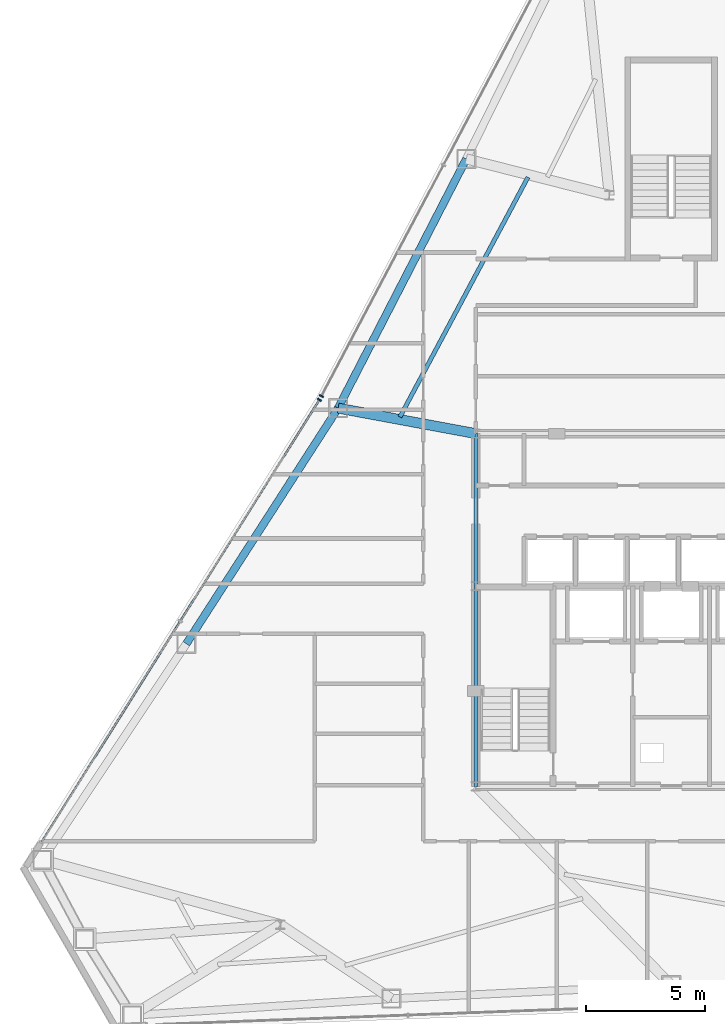
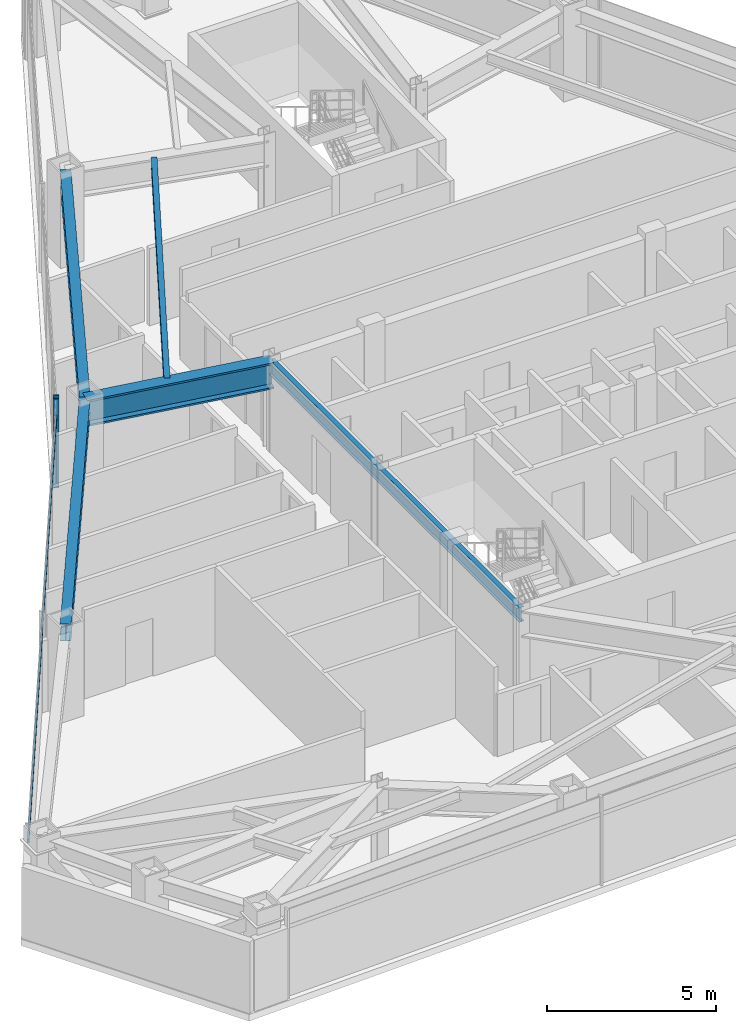
# One storey, part 5 of 13: 5 beams, 3 members, 2 elements without a shape of their own.
"""IFC4 building model written with IfcOpenShell, lengths in metres."""

from ifc_helpers import new_model, si_unit, direction, frame, origin, origin_2d, place, context, subcontext, project, spatial, rectangle, i_section, extrude, source, transform, mapped, material, layer, layer_set, material_profile, profile_set, type_object, type_shapes, element, aggregate, save


model = new_model("IFC4")

# Units and contexts
model_context = context("Model", 3, precision=1e-05, world=origin(), true_north=direction((0.0, 1.0)))
body_context = subcontext(model_context, "Body", "Model", "MODEL_VIEW")
ifc_project = project(units=[si_unit("LENGTHUNIT", "METRE"), si_unit("AREAUNIT", "SQUARE_METRE"), si_unit("VOLUMEUNIT", "CUBIC_METRE"), si_unit("PLANEANGLEUNIT", "RADIAN"), si_unit("MASSUNIT", "GRAM", prefix="KILO")], contexts=[model_context])

# Site, building, storey
site_placement = place(None, origin())
site = spatial("IfcSite", under=ifc_project, at=site_placement, CompositionType="ELEMENT")
building_placement = place(site_placement, origin())
building = spatial("IfcBuilding", under=site, at=building_placement, Name="Varakhsha Concourse Tower", CompositionType="ELEMENT")
storey_placement = place(building_placement, frame((0.0, 0.0, 172.35009765625)))
storey = spatial("IfcBuildingStorey", under=building, at=storey_placement, Name="L49", CompositionType="ELEMENT", Elevation=172.35009765625)

# Beams
ifc_material_1 = material(Name="Structural Steel ASTM A992 Grade 50", Category="steel")
ifc_material_profile_1 = material_profile(ifc_material_1, i_section(OverallWidth=0.177978515625, OverallDepth=0.406982421875, WebThickness=0.008056640625, FlangeThickness=0.012939453125, at=origin_2d()), Name="W16X40")
ifc_profile_set_1 = profile_set([ifc_material_profile_1], Name="Structural Steel ASTM A992 Grade 50")
beam_type_1 = type_object("IfcBeamType", Name="BM-JST-W16X40", PredefinedType="JOIST", material=ifc_profile_set_1)
beam_1_placement = place(storey_placement, frame((33.989013671875, 41.957275390625, 3.00634765625), z_axis=(-0.470992582223, -0.882137170451, 0.0), x_axis=(0.882137170451, -0.470992582223, 0.0)))
element("IfcBeam", 1, at=beam_1_placement, inside=storey, type_object=beam_type_1, Name="BM-TJST-L49-04", PredefinedType="JOIST", context=body_context, shape_type="SweptSolid", body=[
    extrude(i_section(OverallWidth=0.177978515625, OverallDepth=0.406982421875, WebThickness=0.008056640625, FlangeThickness=0.012939453125, at=origin_2d()), origin(), (0.0, 0.0, 1.0), 11.40576171875),
])
ifc_material_profile_2 = material_profile(ifc_material_1, i_section(OverallWidth=0.423095703125, OverallDepth=0.947998046875, WebThickness=0.0380859375, FlangeThickness=0.06396484375, at=origin_2d()), Name="W36X302")
ifc_profile_set_2 = profile_set([ifc_material_profile_2], Name="Structural Steel ASTM A992 Grade 50")
beam_type_2 = type_object("IfcBeamType", Name="BM-OUTR-W36X302", PredefinedType="USERDEFINED", material=ifc_profile_set_2)
beam_2_placement = place(storey_placement, frame((31.800048828125, 31.199951171875, 2.73583984375), z_axis=(-0.983293026869, 0.182029731939, 0.0), x_axis=(-0.182029731939, -0.983293026869, 0.0)))
element("IfcBeam", 2, at=beam_2_placement, inside=storey, type_object=beam_type_2, Name="L49 Radial Floor Girder 05", ObjectType="GIRDER", PredefinedType="USERDEFINED", context=body_context, shape_type="SweptSolid", body=[
    extrude(i_section(OverallWidth=0.423095703125, OverallDepth=0.947998046875, WebThickness=0.0380859375, FlangeThickness=0.06396484375, at=origin_2d()), origin(), (0.0, 0.0, 1.0), 5.87451171875),
])
ifc_material_profile_3 = material_profile(ifc_material_1, i_section(OverallWidth=0.1669921875, OverallDepth=0.534912109375, WebThickness=0.010009765625, FlangeThickness=0.01708984375, at=origin_2d()), Name="W21X57")
ifc_profile_set_3 = profile_set([ifc_material_profile_3], Name="Structural Steel ASTM A992 Grade 50")
beam_type_3 = type_object("IfcBeamType", Name="BM-RAD-W21X57", PredefinedType="BEAM", material=ifc_profile_set_3)
beam_3_placement = place(storey_placement, frame((31.800048828125, 16.39990234375, 2.9423828125), z_axis=(0.0, 1.0, 0.0), x_axis=(-1.0, 0.0, 0.0)))
element("IfcBeam", 3, at=beam_3_placement, inside=storey, type_object=beam_type_3, Name="BM-TCORE-L49-CW", PredefinedType="BEAM", context=body_context, shape_type="SweptSolid", body=[
    extrude(i_section(OverallWidth=0.1669921875, OverallDepth=0.534912109375, WebThickness=0.010009765625, FlangeThickness=0.01708984375, at=origin_2d()), origin(), (0.0, 0.0, 1.0), 14.800048828125),
])
ifc_material_profile_4 = material_profile(ifc_material_1, i_section(OverallWidth=0.323974609375, OverallDepth=0.611083984375, WebThickness=0.012939453125, FlangeThickness=0.01904296875, at=origin_2d()), Name="W24X104")
ifc_profile_set_4 = profile_set([ifc_material_profile_4], Name="Structural Steel ASTM A992 Grade 50")
beam_type_4 = type_object("IfcBeamType", Name="BM-SPAN-W24X104", PredefinedType="SPANDREL", material=ifc_profile_set_4)
for number, where, z_axis, x_axis, name in (
    (4, (31.401611328125, 42.7255859375, 2.904296875), (-0.457375223262, -0.889273807748, 0.0), (0.889273807748, -0.457375223262, 0.0), "BM-SPAN-L49-04"),
    (5, (26.023681640625, 32.269287109375, 2.904296875), (-0.541439522793, -0.840739700001, 0.0), (0.840739700001, -0.541439522793, 0.0), "BM-SPAN-L49-05"),
):
    element("IfcBeam", number, at=place(storey_placement, frame(where, z_axis=z_axis, x_axis=x_axis)), inside=storey, type_object=beam_type_4, Name=name, PredefinedType="SPANDREL", context=body_context, shape_type="SweptSolid", body=[
        extrude(i_section(OverallWidth=0.323974609375, OverallDepth=0.611083984375, WebThickness=0.012939453125, FlangeThickness=0.01904296875, at=origin_2d()), origin(), (0.0, 0.0, 1.0), 11.75830078125),
    ])

# Curtain wall, member
ifc_material_2 = material(Name="Anodised Bronze Architectural Aluminium AA 6063-T6", Category="aluminium")
ifc_layer = layer(ifc_material_2, 0.2099609375, Name="CW-SYS-04")
ifc_layer_set = layer_set([ifc_layer], Name="Anodised Bronze Architectural Aluminium AA 6063-T6")
curtain_wall_type = type_object("IfcCurtainWallType", Name="CW-SYS-04", PredefinedType="NOTDEFINED", material=ifc_layer_set)
curtain_wall_1_placement = place(storey_placement, origin())
curtain_wall_1 = element("IfcCurtainWall", 6, at=curtain_wall_1_placement, inside=storey, type_object=curtain_wall_type, Name="L49 Crystal Curtain Wall F2", PredefinedType="NOTDEFINED")
ifc_material_profile_5 = material_profile(ifc_material_2, rectangle(XDim=0.06494140625, YDim=0.179931640625, at=origin_2d()), Name="CWM-180X65")
ifc_profile_set_5 = profile_set([ifc_material_profile_5], Name="Anodised Bronze Architectural Aluminium AA 6063-T6")
member_type_1 = type_object("IfcMemberType", Name="CWM-180X65", PredefinedType="MULLION", material=ifc_profile_set_5)
shared_shape_1 = source(origin(), body_context, "Body", "SweptSolid", [
    extrude(rectangle(XDim=0.06494140625, YDim=0.179931640625, at=origin_2d()), origin(), (0.0, 0.0, 1.0), 3.2099609375),
])
type_shapes(member_type_1, [shared_shape_1])
member_1_placement = place(storey_placement, frame((25.325927734375, 32.771240234375, 0.0), z_axis=(0.0, 0.0, 1.0), x_axis=(0.46728648373, 0.884105956389, 0.0)))
member_1 = element("IfcMember", 7, at=member_1_placement, type_object=member_type_1, Name="CW-L49-F2 Mullion 00", PredefinedType="MULLION", context=body_context, shape_type="MappedRepresentation", body=[
    mapped(shared_shape_1, transform((0.0, 0.0, 0.0), scale=1.0)),
])
aggregate(curtain_wall_1, [member_1])

# Curtain wall, members
curtain_wall_2_placement = place(storey_placement, origin())
curtain_wall_2 = element("IfcCurtainWall", 8, at=curtain_wall_2_placement, inside=storey, type_object=curtain_wall_type, Name="L49 Crystal Curtain Wall F3", PredefinedType="NOTDEFINED")
member_2_placement = place(storey_placement, frame((25.239990234375, 32.622314453125, 0.0), z_axis=(0.0, 0.0, 1.0), x_axis=(0.532022365141, 0.846730301212, 0.0)))
member_2 = element("IfcMember", 9, at=member_2_placement, type_object=member_type_1, Name="CW-L49-F3 Mullion 02", PredefinedType="MULLION", context=body_context, shape_type="MappedRepresentation", body=[
    mapped(shared_shape_1, transform((0.0, 0.0, 0.0), scale=1.0)),
])
ifc_material_profile_6 = material_profile(ifc_material_2, rectangle(XDim=0.06005859375, YDim=0.139892578125, at=origin_2d()), Name="CWT-140X60")
ifc_profile_set_6 = profile_set([ifc_material_profile_6], Name="Anodised Bronze Architectural Aluminium AA 6063-T6")
member_type_2 = type_object("IfcMemberType", Name="CWT-140X60", PredefinedType="USERDEFINED", material=ifc_profile_set_6)
shared_shape_2 = source(origin(), body_context, "Body", "SweptSolid", [
    extrude(rectangle(XDim=0.06005859375, YDim=0.139892578125, at=origin_2d()), origin(), (0.0, 0.0, 1.0), 21.939208984375),
])
type_shapes(member_type_2, [shared_shape_2])
member_3_placement = place(storey_placement, frame((13.56787109375, 14.045654296875, 2.559814453125), z_axis=(0.532019983212, 0.846731797834, 0.0), x_axis=(-0.846731797834, 0.532019983212, 0.0)))
member_3 = element("IfcMember", 10, at=member_3_placement, type_object=member_type_2, Name="CW-L49-F3 Transom 01", ObjectType="TRANSOM", PredefinedType="USERDEFINED", context=body_context, shape_type="MappedRepresentation", body=[
    mapped(shared_shape_2, transform((0.0, 0.0, 0.0), scale=1.0)),
])
aggregate(curtain_wall_2, [member_2, member_3])

save(model, "model.ifc")
